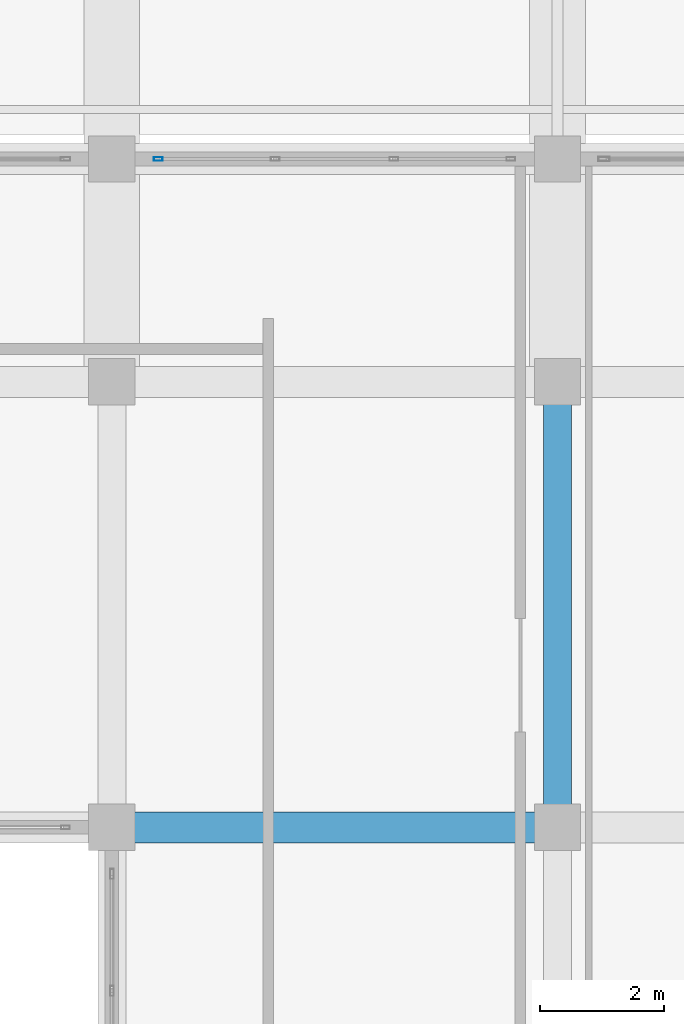
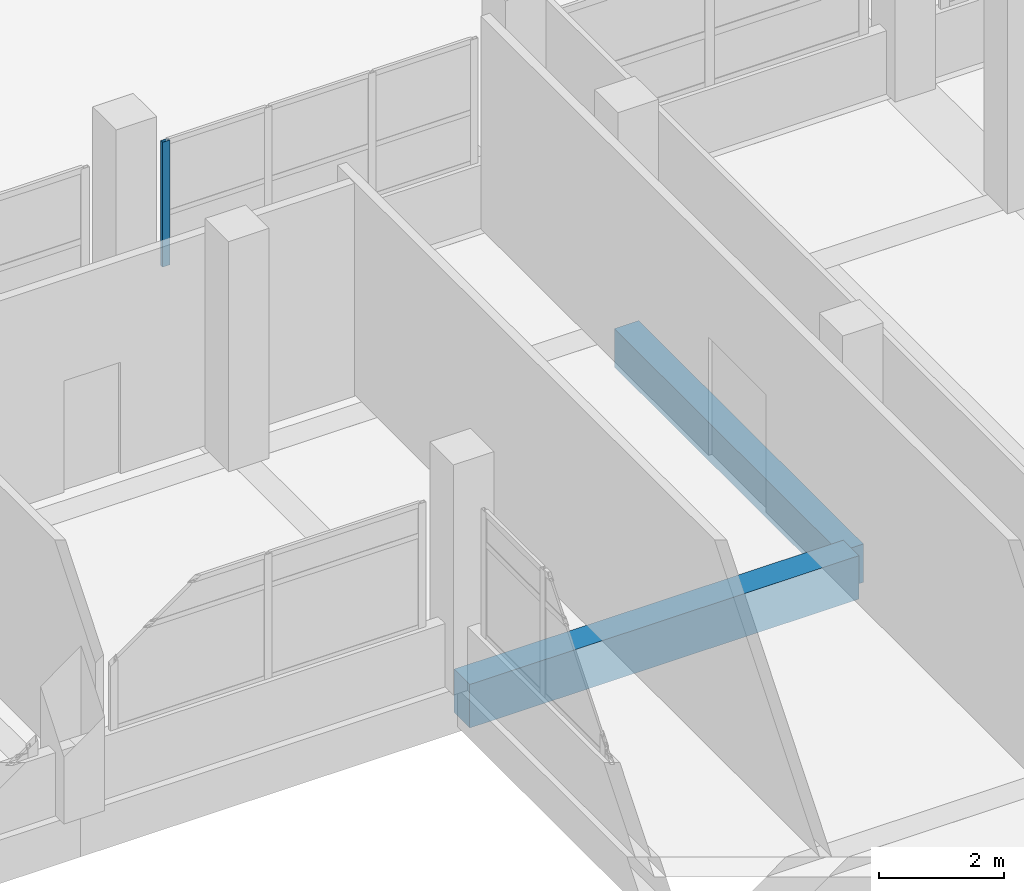
# One storey, part 89 of 141: 2 beams, 1 member, 1 element without a shape of its own.
"""IFC4 building model written with IfcOpenShell, lengths in metres."""

from ifc_helpers import new_model, si_unit, direction, frame, origin, origin_2d, place, context, subcontext, project, spatial, rectangle, hollow_rectangle, extrude, material, layer, layer_set, material_profile, profile_set, type_object, element, aggregate, save


model = new_model("IFC4")

# Units and contexts
model_context = context("Model", 3, precision=1e-05, world=origin(), true_north=direction((0.0, 1.0)))
body_context = subcontext(model_context, "Body", "Model", "MODEL_VIEW")
ifc_project = project(units=[si_unit("LENGTHUNIT", "METRE"), si_unit("AREAUNIT", "SQUARE_METRE"), si_unit("VOLUMEUNIT", "CUBIC_METRE"), si_unit("PLANEANGLEUNIT", "RADIAN"), si_unit("MASSUNIT", "GRAM", prefix="KILO")], contexts=[model_context])

# Site, building, storey
site_placement = place(None, origin())
site = spatial("IfcSite", under=ifc_project, at=site_placement, CompositionType="ELEMENT")
building_placement = place(site_placement, origin())
building = spatial("IfcBuilding", under=site, at=building_placement, Name="Seraya Terrace Polytechnic", CompositionType="ELEMENT")
storey_placement = place(building_placement, frame((0.0, 0.0, 14.39990234375)))
storey = spatial("IfcBuildingStorey", under=building, at=storey_placement, Name="L03", CompositionType="ELEMENT", Elevation=14.39990234375)

# Beams
ifc_material_1 = material(Name="Concrete C40/50", Category="concrete")
ifc_material_profile_1 = material_profile(ifc_material_1, rectangle(XDim=0.5, YDim=0.85009765625, at=origin_2d()), Name="RC 500x850")
ifc_profile_set_1 = profile_set([ifc_material_profile_1], Name="Concrete C40/50")
beam_type_1 = type_object("IfcBeamType", Name="BM-05", PredefinedType="BEAM", material=ifc_profile_set_1)
beam_1_placement = place(storey_placement, frame((79.199951171875, 64.800048828125, -0.4248046875), z_axis=(1.0, 0.0, 0.0), x_axis=(0.0, 1.0, 0.0)))
element("IfcBeam", 1, at=beam_1_placement, inside=storey, type_object=beam_type_1, Name="Beam BM-05 L03 X (79.2..86.4, 64.8)", PredefinedType="BEAM", context=body_context, shape_type="SweptSolid", body=[
    extrude(rectangle(XDim=0.5, YDim=0.85009765625, at=origin_2d()), origin(), (0.0, 0.0, 1.0), 7.199951171875),
])
ifc_material_profile_2 = material_profile(ifc_material_1, rectangle(XDim=0.449951171875, YDim=0.75, at=origin_2d()), Name="RC 450x750")
ifc_profile_set_2 = profile_set([ifc_material_profile_2], Name="Concrete C40/50")
beam_type_2 = type_object("IfcBeamType", Name="BM-08", PredefinedType="BEAM", material=ifc_profile_set_2)
beam_2_placement = place(storey_placement, frame((86.39990234375, 64.800048828125, -0.375), z_axis=(0.0, 1.0, 0.0), x_axis=(-1.0, 0.0, 0.0)))
element("IfcBeam", 2, at=beam_2_placement, inside=storey, type_object=beam_type_2, Name="Beam BM-08 L03 Y (86.4, 64.8..72.0)", PredefinedType="BEAM", context=body_context, shape_type="SweptSolid", body=[
    extrude(rectangle(XDim=0.449951171875, YDim=0.75, at=origin_2d()), origin(), (0.0, 0.0, 1.0), 7.199951171875),
])

# Curtain wall, member
ifc_material_2 = material(Name="Anodised aluminium EN AW-6063 T6", Category="aluminium")
ifc_layer = layer(ifc_material_2, 0.179931640625, Name="CW-15")
ifc_layer_set = layer_set([ifc_layer], Name="Anodised aluminium EN AW-6063 T6")
curtain_wall_type = type_object("IfcCurtainWallType", Name="CW-15", PredefinedType="NOTDEFINED", material=ifc_layer_set)
curtain_wall_placement = place(storey_placement, origin())
curtain_wall = element("IfcCurtainWall", 3, at=curtain_wall_placement, inside=storey, type_object=curtain_wall_type, Name="Unitised curtain wall CW-15 (CW-L03-123)", PredefinedType="NOTDEFINED")
ifc_material_profile_3 = material_profile(ifc_material_2, hollow_rectangle(XDim=0.06005859375, YDim=0.139892578125, WallThickness=0.00341796875, at=origin_2d()), Name="RHS 140x60x3.5")
ifc_profile_set_3 = profile_set([ifc_material_profile_3], Name="Anodised aluminium EN AW-6063 T6")
member_type = type_object("IfcMemberType", Name="CWM-03", PredefinedType="MULLION", material=ifc_profile_set_3)
member_placement = place(storey_placement, frame((79.949951171875, 75.60009765625, 1.239990234375), z_axis=(0.0, 0.0, 1.0), x_axis=(0.0, 1.0, 0.0)))
member = element("IfcMember", 4, at=member_placement, type_object=member_type, Name="CW-15 mullion 1", PredefinedType="MULLION", context=body_context, shape_type="SweptSolid", body=[
    extrude(hollow_rectangle(XDim=0.06005859375, YDim=0.139892578125, WallThickness=0.00341796875, at=origin_2d()), origin(), (0.0, 0.0, 1.0), 2.440185546875),
])
aggregate(curtain_wall, [member])

save(model, "model.ifc")
